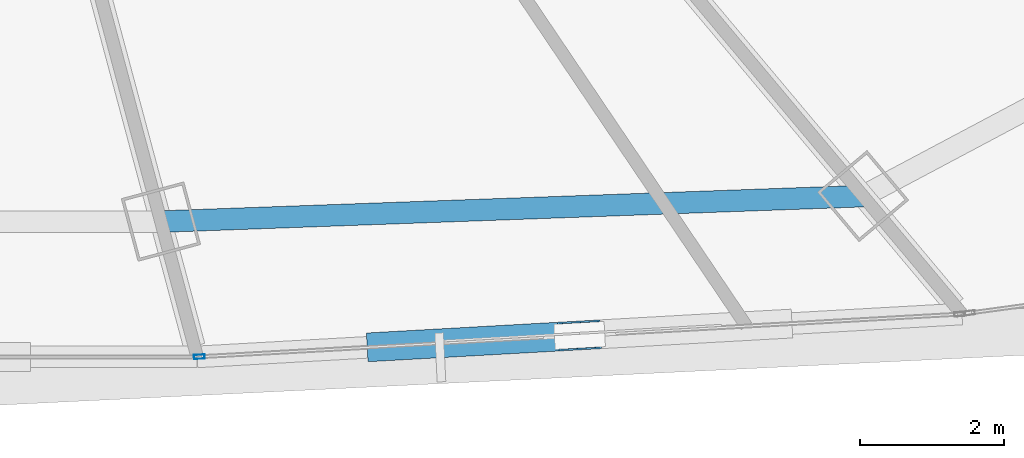
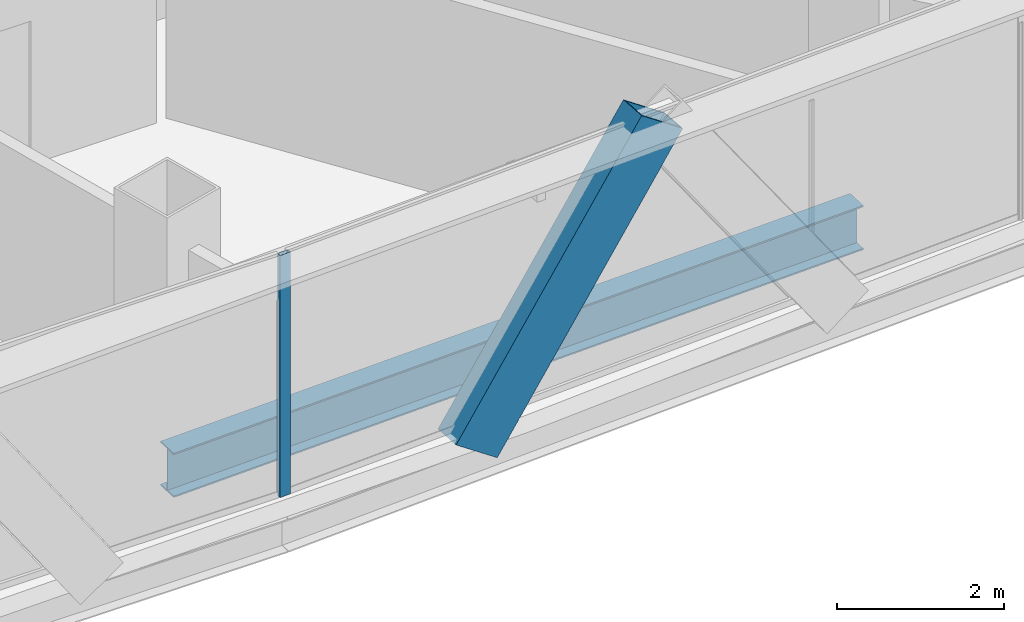
# One storey, part 12 of 37: 2 members, 1 beam, 1 element without a shape of its own.
"""IFC4 building model written with IfcOpenShell, lengths in metres."""

from ifc_helpers import new_model, si_unit, direction, frame, origin, origin_2d, place, context, subcontext, project, spatial, hollow_rectangle, i_section, extrude, source, transform, mapped, material, layer, layer_set, material_profile, profile_set, type_object, element, aggregate, save


model = new_model("IFC4")

# Units and contexts
model_context = context("Model", 3, precision=1e-05, world=origin(), true_north=direction((0.0, 1.0)))
body_context = subcontext(model_context, "Body", "Model", "MODEL_VIEW")
ifc_project = project(units=[si_unit("LENGTHUNIT", "METRE"), si_unit("AREAUNIT", "SQUARE_METRE"), si_unit("VOLUMEUNIT", "CUBIC_METRE"), si_unit("PLANEANGLEUNIT", "RADIAN"), si_unit("MASSUNIT", "GRAM", prefix="KILO"), si_unit("THERMODYNAMICTEMPERATUREUNIT", "KELVIN"), si_unit("POWERUNIT", "WATT")], contexts=[model_context])

# Site, building, storey
site_placement = place(None, origin())
site = spatial("IfcSite", under=ifc_project, at=site_placement, CompositionType="ELEMENT")
building_placement = place(site_placement, origin())
building = spatial("IfcBuilding", under=site, at=building_placement, Name="Yunzhuo Pagoda Commons", CompositionType="ELEMENT")
storey_placement = place(building_placement, frame((0.0, 0.0, 196.159912109375)))
storey = spatial("IfcBuildingStorey", under=building, at=storey_placement, Name="L49", CompositionType="ELEMENT", Elevation=196.159912109375)

# Beam
ifc_material_1 = material(Name="Structural steel Q355B", Category="steel")
ifc_material_profile_1 = material_profile(ifc_material_1, i_section(OverallWidth=0.300048828125, OverallDepth=0.64990234375, WebThickness=0.012939453125, FlangeThickness=0.02197265625, at=origin_2d()), Name="Structural steel Q355B")
ifc_profile_set_1 = profile_set([ifc_material_profile_1], Name="Structural steel Q355B")
beam_type = type_object("IfcBeamType", Name="B-RG2 Beam HN 650x300x13x22", PredefinedType="BEAM", material=ifc_profile_set_1)
shared_shape_1 = source(origin(), body_context, "Body", "SweptSolid", [
    extrude(i_section(OverallWidth=0.300048828125, OverallDepth=0.64990234375, WebThickness=0.012939453125, FlangeThickness=0.02197265625, at=origin_2d()), origin(), (0.0, 0.0, 1.0), 9.754638671875),
])
beam_placement = place(storey_placement, frame((52.712890625, 16.1123046875, -0.5849609375), z_axis=(0.999343095614, 0.036240547032, 0.0), x_axis=(-0.036240547032, 0.999343095614, 0.0)))
element("IfcBeam", 1, at=beam_placement, inside=storey, type_object=beam_type, Name="L49 column-ring beam 3", PredefinedType="BEAM", context=body_context, shape_type="MappedRepresentation", body=[
    mapped(shared_shape_1, transform((0.0, 0.0, 0.0), scale=1.0)),
])

# Member
ifc_material_profile_2 = material_profile(ifc_material_1, hollow_rectangle(XDim=0.39990234375, YDim=0.719970703125, WallThickness=0.02392578125, at=origin_2d()), Name="Structural steel Q355B")
ifc_profile_set_2 = profile_set([ifc_material_profile_2], Name="Structural steel Q355B")
member_type_1 = type_object("IfcMemberType", Name="M-DL2 Brace BOX 720x400x24", PredefinedType="BRACE", material=ifc_profile_set_2)
shared_shape_2 = source(origin(), body_context, "Body", "SweptSolid", [
    extrude(hollow_rectangle(XDim=0.39990234375, YDim=0.719970703125, WallThickness=0.02392578125, at=origin_2d()), origin(), (0.0, 0.0, 1.0), 4.6376953125),
])
member_1_placement = place(storey_placement, frame((55.870849609375, 14.38232421875, -0.260009765625), z_axis=(0.572371416093, 0.032111336689, 0.819365500919), x_axis=(-0.056014189589, 0.99842997279, 0.0)))
element("IfcMember", 2, at=member_1_placement, inside=storey, type_object=member_type_1, Name="L49 facade diamond brace F1.3L", PredefinedType="BRACE", context=body_context, shape_type="MappedRepresentation", body=[
    mapped(shared_shape_2, transform((0.0, 0.0, 0.0), scale=1.0)),
])

# Curtain wall, member
ifc_material_2 = material(Name="Anodized aluminium 6063-T6", Category="aluminium")
ifc_layer = layer(ifc_material_2, 0.14990234375)
ifc_layer_set = layer_set([ifc_layer], Name="Anodized aluminium 6063-T6")
curtain_wall_type = type_object("IfcCurtainWallType", Name="CW-MID Mid-Zone Ribbon Curtain Wall", PredefinedType="NOTDEFINED", material=ifc_layer_set)
curtain_wall_placement = place(storey_placement, origin())
curtain_wall = element("IfcCurtainWall", 3, at=curtain_wall_placement, inside=storey, type_object=curtain_wall_type, Name="L49 curtain wall CW-L49-F1B4", PredefinedType="NOTDEFINED")
ifc_material_profile_3 = material_profile(ifc_material_2, hollow_rectangle(XDim=0.06005859375, YDim=0.14990234375, WallThickness=0.00390625, at=origin_2d()), Name="Anodized aluminium 6063-T6")
ifc_profile_set_3 = profile_set([ifc_material_profile_3], Name="Anodized aluminium 6063-T6")
member_type_2 = type_object("IfcMemberType", Name="CW-MID-M Mullion RHS 150x60x4", PredefinedType="MULLION", material=ifc_profile_set_3)
shared_shape_3 = source(origin(), body_context, "Body", "SweptSolid", [
    extrude(hollow_rectangle(XDim=0.06005859375, YDim=0.14990234375, WallThickness=0.00390625, at=origin_2d()), origin(), (0.0, 0.0, 1.0), 3.5400390625),
])
member_2_placement = place(storey_placement, frame((53.245849609375, 14.2353515625, 0.0), z_axis=(0.0, 0.0, 1.0), x_axis=(-0.055982959182, 0.998431724396, 0.0)))
member_2 = element("IfcMember", 4, at=member_2_placement, type_object=member_type_2, Name="CW mullion 1", PredefinedType="MULLION", context=body_context, shape_type="MappedRepresentation", body=[
    mapped(shared_shape_3, transform((0.0, 0.0, 0.0), scale=1.0)),
])
aggregate(curtain_wall, [member_2])

save(model, "model.ifc")
